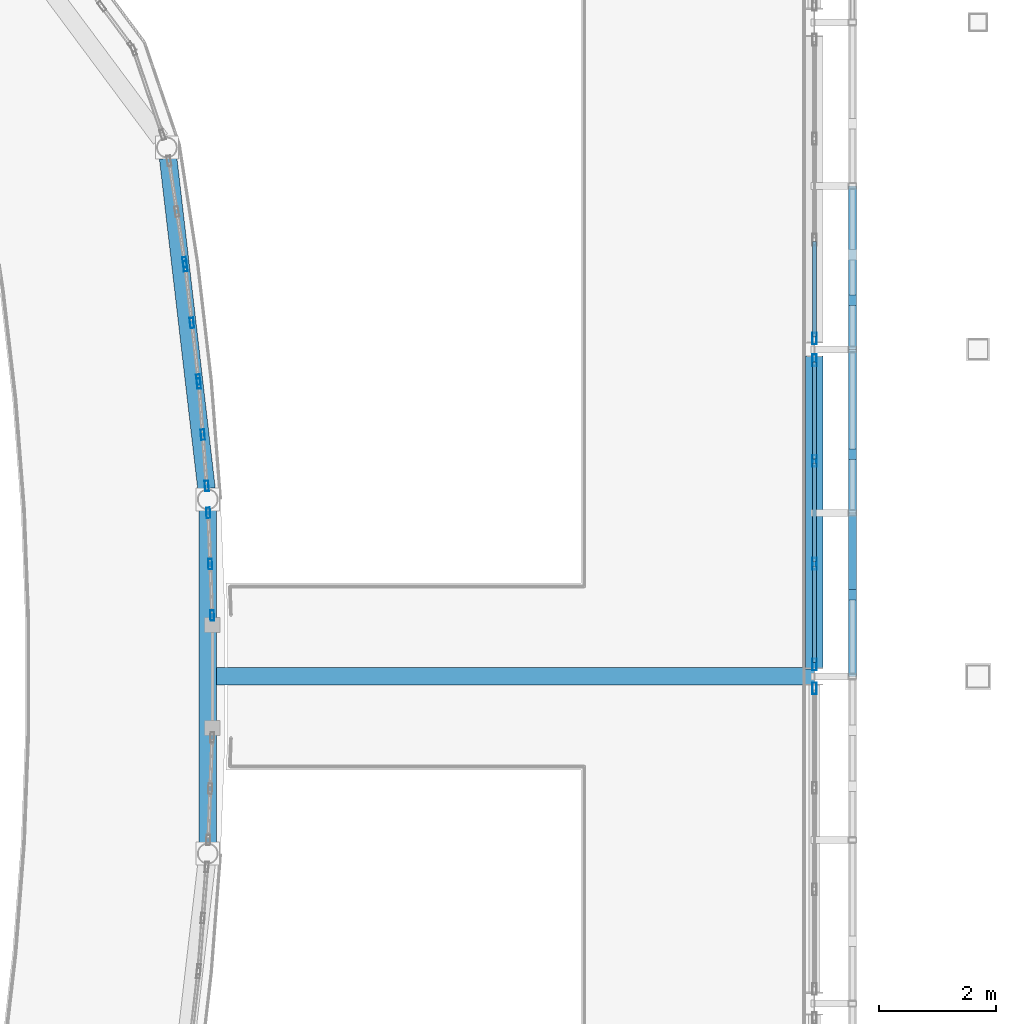
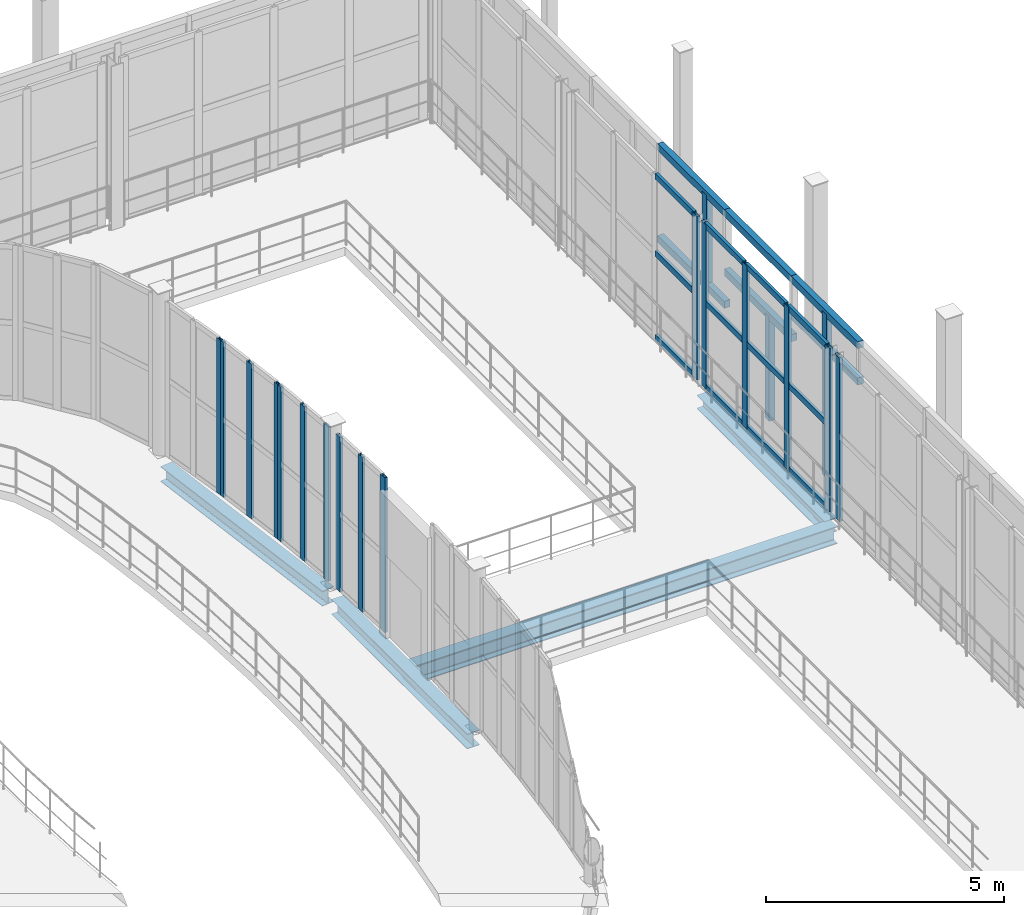
# One storey, part 44 of 138: 37 members, 4 beams, 7 elements without a shape of their own.
"""IFC4 building model written with IfcOpenShell, lengths in metres."""

from ifc_helpers import new_model, si_unit, direction, frame, origin, origin_2d, place, context, subcontext, project, spatial, rectangle, hollow_rectangle, i_section, extrude, material, layer, layer_set, material_profile, profile_set, type_object, element, aggregate, save


model = new_model("IFC4")

# Units and contexts
model_context = context("Model", 3, precision=1e-05, world=origin(), true_north=direction((0.0, 1.0)))
body_context = subcontext(model_context, "Body", "Model", "MODEL_VIEW")
ifc_project = project(units=[si_unit("LENGTHUNIT", "METRE"), si_unit("AREAUNIT", "SQUARE_METRE"), si_unit("VOLUMEUNIT", "CUBIC_METRE"), si_unit("PLANEANGLEUNIT", "RADIAN"), si_unit("MASSUNIT", "GRAM", prefix="KILO")], contexts=[model_context])

# Site, building, storey
site_placement = place(None, origin())
site = spatial("IfcSite", under=ifc_project, at=site_placement, CompositionType="ELEMENT")
building_placement = place(site_placement, origin())
building = spatial("IfcBuilding", under=site, at=building_placement, Name="Vinh Khe Railworks Police Headquarters", CompositionType="ELEMENT")
storey_placement = place(building_placement, frame((0.0, 0.0, 9.0)))
storey = spatial("IfcBuildingStorey", under=building, at=storey_placement, Name="L02", CompositionType="ELEMENT", Elevation=9.0)

# Members
ifc_material_1 = material(Name="Salvaged ironwood timber", Category="wood")
ifc_material_profile_1 = material_profile(ifc_material_1, rectangle(XDim=0.139892578125, YDim=0.179931640625, at=origin_2d()), Name="TIMBER 140x180")
ifc_profile_set_1 = profile_set([ifc_material_profile_1], Name="Salvaged ironwood timber")
member_type_1 = type_object("IfcMemberType", Name="MEM-QUILT-STILE", PredefinedType="CHORD", material=ifc_profile_set_1)
for number, where, z_axis, x_axis, name in (
    (1, (60.64990234375, 42.0, 4.1201171875), (0.0, 1.0, 0.0), (-1.0, 0.0, 0.0), "Salvaged Timber Quilt Transom E-L02-06-TOP"),
    (2, (60.64990234375, 42.0, 3.19189453125), (0.0, 1.0, 0.0), (-1.0, 0.0, 0.0), "Salvaged Timber Quilt Transom E-L02-06-M1"),
):
    element("IfcMember", number, at=place(storey_placement, frame(where, z_axis=z_axis, x_axis=x_axis)), inside=storey, type_object=member_type_1, Name=name, PredefinedType="CHORD", context=body_context, shape_type="SweptSolid", body=[
        extrude(rectangle(XDim=0.139892578125, YDim=0.179931640625, at=origin_2d()), origin(), (0.0, 0.0, 1.0), 2.800048828125),
    ])
member_1_placement = place(storey_placement, frame((60.64990234375, 43.39990234375, -0.080078125), z_axis=(0.0, 0.0, 1.0), x_axis=(1.0, 0.0, 0.0)))
element("IfcMember", 3, at=member_1_placement, inside=storey, type_object=member_type_1, Name="Salvaged Timber Quilt Stile E-L02-06-V1", PredefinedType="POST", context=body_context, shape_type="SweptSolid", body=[
    extrude(rectangle(XDim=0.139892578125, YDim=0.179931640625, at=origin_2d()), origin(), (0.0, 0.0, 1.0), 4.2001953125),
])
for number, where, z_axis, x_axis, name in (
    (4, (60.64990234375, 44.800048828125, 4.1201171875), (0.0, 1.0, 0.0), (-1.0, 0.0, 0.0), "Salvaged Timber Quilt Transom E-L02-07-TOP"),
    (5, (60.64990234375, 44.800048828125, 2.60400390625), (0.0, 1.0, 0.0), (-1.0, 0.0, 0.0), "Salvaged Timber Quilt Transom E-L02-07-M1"),
):
    element("IfcMember", number, at=place(storey_placement, frame(where, z_axis=z_axis, x_axis=x_axis)), inside=storey, type_object=member_type_1, Name=name, PredefinedType="CHORD", context=body_context, shape_type="SweptSolid", body=[
        extrude(rectangle(XDim=0.139892578125, YDim=0.179931640625, at=origin_2d()), origin(), (0.0, 0.0, 1.0), 2.800048828125),
    ])
member_2_placement = place(storey_placement, frame((60.64990234375, 45.80810546875, -0.080078125), z_axis=(0.0, 0.0, 1.0), x_axis=(1.0, 0.0, 0.0)))
element("IfcMember", 6, at=member_2_placement, inside=storey, type_object=member_type_1, Name="Salvaged Timber Quilt Stile E-L02-07-V1", PredefinedType="POST", context=body_context, shape_type="SweptSolid", body=[
    extrude(rectangle(XDim=0.139892578125, YDim=0.179931640625, at=origin_2d()), origin(), (0.0, 0.0, 1.0), 2.68408203125),
])
for number, where, z_axis, x_axis, name in (
    (7, (60.64990234375, 47.60009765625, 4.1201171875), (0.0, 1.0, 0.0), (-1.0, 0.0, 0.0), "Salvaged Timber Quilt Transom E-L02-08-TOP"),
    (8, (60.64990234375, 47.60009765625, 1.763916015625), (0.0, 1.0, 0.0), (-1.0, 0.0, 0.0), "Salvaged Timber Quilt Transom E-L02-08-M1"),
):
    element("IfcMember", number, at=place(storey_placement, frame(where, z_axis=z_axis, x_axis=x_axis)), inside=storey, type_object=member_type_1, Name=name, PredefinedType="CHORD", context=body_context, shape_type="SweptSolid", body=[
        extrude(rectangle(XDim=0.139892578125, YDim=0.179931640625, at=origin_2d()), origin(), (0.0, 0.0, 1.0), 2.7998046875),
    ])
member_3_placement = place(storey_placement, frame((60.64990234375, 48.43994140625, 1.763916015625), z_axis=(0.0, 0.0, 1.0), x_axis=(1.0, 0.0, 0.0)))
element("IfcMember", 9, at=member_3_placement, inside=storey, type_object=member_type_1, Name="Salvaged Timber Quilt Stile E-L02-08-V2", PredefinedType="POST", context=body_context, shape_type="SweptSolid", body=[
    extrude(rectangle(XDim=0.139892578125, YDim=0.179931640625, at=origin_2d()), origin(), (0.0, 0.0, 1.0), 2.356201171875),
])

# Curtain wall, members
ifc_material_2 = material(Name="Anodised aluminium and acoustic laminated glass", Category="aluminium")
ifc_layer_1 = layer(ifc_material_2, 0.159912109375)
ifc_layer_set_1 = layer_set([ifc_layer_1], Name="Anodised aluminium and acoustic laminated glass")
curtain_wall_type_1 = type_object("IfcCurtainWallType", Name="CW-DRUM-CHORD", PredefinedType="USERDEFINED", material=ifc_layer_set_1)
curtain_wall_1_placement = place(storey_placement, origin())
curtain_wall_1 = element("IfcCurtainWall", 10, at=curtain_wall_1_placement, inside=storey, type_object=curtain_wall_type_1, Name="Elliptical Command Drum Glazing L02 Chord 6", ObjectType="DRUM FACADE GLAZING", PredefinedType="USERDEFINED")
ifc_material_3 = material(Name="Anodised aluminium 6063-T6", Category="aluminium")
ifc_material_profile_2 = material_profile(ifc_material_3, hollow_rectangle(XDim=0.06494140625, YDim=0.179931640625, WallThickness=0.0048828125, at=origin_2d()), Name="CW-M 65x180x5")
ifc_profile_set_2 = profile_set([ifc_material_profile_2], Name="Anodised aluminium 6063-T6")
member_type_2 = type_object("IfcMemberType", Name="MULL-CWM-02", PredefinedType="MULLION", material=ifc_profile_set_2)
member_4_placement = place(storey_placement, frame((49.68896484375, 43.043701171875, 0.0), z_axis=(0.0, 0.0, 1.0), x_axis=(-0.999258111354, -0.038512684833, 0.0)))
member_4 = element("IfcMember", 11, at=member_4_placement, type_object=member_type_2, Name="CW-02 mullion 1", PredefinedType="MULLION", context=body_context, shape_type="SweptSolid", body=[
    extrude(hollow_rectangle(XDim=0.06494140625, YDim=0.179931640625, WallThickness=0.0048828125, at=origin_2d()), origin(), (0.0, 0.0, 1.0), 3.969970703125),
])
member_5_placement = place(storey_placement, frame((49.655029296875, 43.9228515625, 0.0), z_axis=(0.0, 0.0, 1.0), x_axis=(-0.999258111354, -0.038512684833, 0.0)))
member_5 = element("IfcMember", 12, at=member_5_placement, type_object=member_type_2, Name="CW-02 mullion 2", PredefinedType="MULLION", context=body_context, shape_type="SweptSolid", body=[
    extrude(hollow_rectangle(XDim=0.06494140625, YDim=0.179931640625, WallThickness=0.0048828125, at=origin_2d()), origin(), (0.0, 0.0, 1.0), 3.969970703125),
])
member_6_placement = place(storey_placement, frame((49.621337890625, 44.802001953125, 0.0), z_axis=(0.0, 0.0, 1.0), x_axis=(-0.999258111354, -0.038512684833, 0.0)))
member_6 = element("IfcMember", 13, at=member_6_placement, type_object=member_type_2, Name="CW-02 mullion 3", PredefinedType="MULLION", context=body_context, shape_type="SweptSolid", body=[
    extrude(hollow_rectangle(XDim=0.06494140625, YDim=0.179931640625, WallThickness=0.0048828125, at=origin_2d()), origin(), (0.0, 0.0, 1.0), 3.969970703125),
])
aggregate(curtain_wall_1, [member_4, member_5, member_6])

curtain_wall_2_placement = place(storey_placement, origin())
curtain_wall_2 = element("IfcCurtainWall", 14, at=curtain_wall_2_placement, inside=storey, type_object=curtain_wall_type_1, Name="Elliptical Command Drum Glazing L02 Chord 7", ObjectType="DRUM FACADE GLAZING", PredefinedType="USERDEFINED")
member_7_placement = place(storey_placement, frame((49.5947265625, 45.26171875, 0.0), z_axis=(0.0, 0.0, 1.0), x_axis=(-0.997033493224, -0.076968911839, 0.0)))
member_7 = element("IfcMember", 15, at=member_7_placement, type_object=member_type_2, Name="CW-02 mullion 1", PredefinedType="MULLION", context=body_context, shape_type="SweptSolid", body=[
    extrude(hollow_rectangle(XDim=0.06494140625, YDim=0.179931640625, WallThickness=0.0048828125, at=origin_2d()), origin(), (0.0, 0.0, 1.0), 3.969970703125),
])
member_8_placement = place(storey_placement, frame((49.52685546875, 46.138916015625, 0.0), z_axis=(0.0, 0.0, 1.0), x_axis=(-0.997033493224, -0.076968911839, 0.0)))
member_8 = element("IfcMember", 16, at=member_8_placement, type_object=member_type_2, Name="CW-02 mullion 2", PredefinedType="MULLION", context=body_context, shape_type="SweptSolid", body=[
    extrude(hollow_rectangle(XDim=0.06494140625, YDim=0.179931640625, WallThickness=0.0048828125, at=origin_2d()), origin(), (0.0, 0.0, 1.0), 3.969970703125),
])
member_9_placement = place(storey_placement, frame((49.459228515625, 47.01611328125, 0.0), z_axis=(0.0, 0.0, 1.0), x_axis=(-0.997033493224, -0.076968911839, 0.0)))
member_9 = element("IfcMember", 17, at=member_9_placement, type_object=member_type_2, Name="CW-02 mullion 3", PredefinedType="MULLION", context=body_context, shape_type="SweptSolid", body=[
    extrude(hollow_rectangle(XDim=0.06494140625, YDim=0.179931640625, WallThickness=0.0048828125, at=origin_2d()), origin(), (0.0, 0.0, 1.0), 3.969970703125),
])
aggregate(curtain_wall_2, [member_7, member_8, member_9])

curtain_wall_3_placement = place(storey_placement, origin())
curtain_wall_3 = element("IfcCurtainWall", 18, at=curtain_wall_3_placement, inside=storey, type_object=curtain_wall_type_1, Name="Elliptical Command Drum Glazing L02 Chord 8", ObjectType="DRUM FACADE GLAZING", PredefinedType="USERDEFINED")
member_10_placement = place(storey_placement, frame((49.452880859375, 47.080810546875, 0.0), z_axis=(0.0, 0.0, 1.0), x_axis=(-0.993328656296, -0.115317737498, 0.0)))
member_10 = element("IfcMember", 19, at=member_10_placement, type_object=member_type_2, Name="CW-02 mullion 1", PredefinedType="MULLION", context=body_context, shape_type="SweptSolid", body=[
    extrude(hollow_rectangle(XDim=0.06494140625, YDim=0.179931640625, WallThickness=0.0048828125, at=origin_2d()), origin(), (0.0, 0.0, 1.0), 3.969970703125),
])
member_11_placement = place(storey_placement, frame((49.340087890625, 48.052978515625, 0.0), z_axis=(0.0, 0.0, 1.0), x_axis=(-0.993328656296, -0.115317737498, 0.0)))
member_11 = element("IfcMember", 20, at=member_11_placement, type_object=member_type_2, Name="CW-02 mullion 2", PredefinedType="MULLION", context=body_context, shape_type="SweptSolid", body=[
    extrude(hollow_rectangle(XDim=0.06494140625, YDim=0.179931640625, WallThickness=0.0048828125, at=origin_2d()), origin(), (0.0, 0.0, 1.0), 3.969970703125),
])
member_12_placement = place(storey_placement, frame((49.227294921875, 49.025146484375, 0.0), z_axis=(0.0, 0.0, 1.0), x_axis=(-0.993328656296, -0.115317737498, 0.0)))
member_12 = element("IfcMember", 21, at=member_12_placement, type_object=member_type_2, Name="CW-02 mullion 3", PredefinedType="MULLION", context=body_context, shape_type="SweptSolid", body=[
    extrude(hollow_rectangle(XDim=0.06494140625, YDim=0.179931640625, WallThickness=0.0048828125, at=origin_2d()), origin(), (0.0, 0.0, 1.0), 3.969970703125),
])
aggregate(curtain_wall_3, [member_10, member_11, member_12])

# Curtain wall, member
curtain_wall_4_placement = place(storey_placement, origin())
curtain_wall_4 = element("IfcCurtainWall", 22, at=curtain_wall_4_placement, inside=storey, type_object=curtain_wall_type_1, Name="Elliptical Command Drum Glazing L02 Chord 9", ObjectType="DRUM FACADE GLAZING", PredefinedType="USERDEFINED")
member_13_placement = place(storey_placement, frame((49.218505859375, 49.089599609375, 0.0), z_axis=(0.0, 0.0, 1.0), x_axis=(-0.988150166575, -0.153490222159, 0.0)))
member_13 = element("IfcMember", 23, at=member_13_placement, type_object=member_type_2, Name="CW-02 mullion 1", PredefinedType="MULLION", context=body_context, shape_type="SweptSolid", body=[
    extrude(hollow_rectangle(XDim=0.06494140625, YDim=0.179931640625, WallThickness=0.0048828125, at=origin_2d()), origin(), (0.0, 0.0, 1.0), 3.969970703125),
])
aggregate(curtain_wall_4, [member_13])

ifc_material_4 = material(Name="Anodised aluminium and low-iron glass", Category="aluminium")
ifc_layer_2 = layer(ifc_material_4, 0.179931640625)
ifc_layer_set_2 = layer_set([ifc_layer_2], Name="Anodised aluminium and low-iron glass")
curtain_wall_type_2 = type_object("IfcCurtainWallType", Name="CW-CUBE-UNIT", PredefinedType="USERDEFINED", material=ifc_layer_set_2)
curtain_wall_5_placement = place(storey_placement, origin())
curtain_wall_5 = element("IfcCurtainWall", 24, at=curtain_wall_5_placement, inside=storey, type_object=curtain_wall_type_2, Name="Entrance Hall Curtain Wall L02 E-3", ObjectType="UNITISED GLAZING", PredefinedType="USERDEFINED")
ifc_material_profile_3 = material_profile(ifc_material_3, hollow_rectangle(XDim=0.070068359375, YDim=0.199951171875, WallThickness=0.0048828125, at=origin_2d()), Name="CW-M 70x200x5")
ifc_profile_set_3 = profile_set([ifc_material_profile_3], Name="Anodised aluminium 6063-T6")
member_type_3 = type_object("IfcMemberType", Name="MULL-CWM-03", PredefinedType="MULLION", material=ifc_profile_set_3)
member_14_placement = place(storey_placement, frame((60.0, 41.794921875, 0.0), z_axis=(0.0, 0.0, 1.0), x_axis=(-1.0, 0.0, 0.0)))
member_14 = element("IfcMember", 25, at=member_14_placement, type_object=member_type_3, Name="CW-01 mullion 4", PredefinedType="MULLION", context=body_context, shape_type="SweptSolid", body=[
    extrude(hollow_rectangle(XDim=0.070068359375, YDim=0.199951171875, WallThickness=0.0048828125, at=origin_2d()), origin(), (0.0, 0.0, 1.0), 4.199951171875),
])
aggregate(curtain_wall_5, [member_14])

# Curtain wall, members
curtain_wall_6_placement = place(storey_placement, origin())
curtain_wall_6 = element("IfcCurtainWall", 26, at=curtain_wall_6_placement, inside=storey, type_object=curtain_wall_type_2, Name="Entrance Hall Curtain Wall L02 E-4", ObjectType="UNITISED GLAZING", PredefinedType="USERDEFINED")
member_15_placement = place(storey_placement, frame((60.0, 42.205078125, 0.0), z_axis=(0.0, 0.0, 1.0), x_axis=(-1.0, 0.0, 0.0)))
member_15 = element("IfcMember", 27, at=member_15_placement, type_object=member_type_3, Name="CW-01 mullion 1", PredefinedType="MULLION", context=body_context, shape_type="SweptSolid", body=[
    extrude(hollow_rectangle(XDim=0.070068359375, YDim=0.199951171875, WallThickness=0.0048828125, at=origin_2d()), origin(), (0.0, 0.0, 1.0), 4.199951171875),
])
member_16_placement = place(storey_placement, frame((60.0, 43.929931640625, 0.0), z_axis=(0.0, 0.0, 1.0), x_axis=(-1.0, 0.0, 0.0)))
member_16 = element("IfcMember", 28, at=member_16_placement, type_object=member_type_3, Name="CW-01 mullion 2", PredefinedType="MULLION", context=body_context, shape_type="SweptSolid", body=[
    extrude(hollow_rectangle(XDim=0.070068359375, YDim=0.199951171875, WallThickness=0.0048828125, at=origin_2d()), origin(), (0.0, 0.0, 1.0), 4.199951171875),
])
member_17_placement = place(storey_placement, frame((60.0, 45.68994140625, 0.0), z_axis=(0.0, 0.0, 1.0), x_axis=(-1.0, 0.0, 0.0)))
member_17 = element("IfcMember", 29, at=member_17_placement, type_object=member_type_3, Name="CW-01 mullion 3", PredefinedType="MULLION", context=body_context, shape_type="SweptSolid", body=[
    extrude(hollow_rectangle(XDim=0.070068359375, YDim=0.199951171875, WallThickness=0.0048828125, at=origin_2d()), origin(), (0.0, 0.0, 1.0), 4.199951171875),
])
member_18_placement = place(storey_placement, frame((60.0, 47.4150390625, 0.0), z_axis=(0.0, 0.0, 1.0), x_axis=(-1.0, 0.0, 0.0)))
member_18 = element("IfcMember", 30, at=member_18_placement, type_object=member_type_3, Name="CW-01 mullion 4", PredefinedType="MULLION", context=body_context, shape_type="SweptSolid", body=[
    extrude(hollow_rectangle(XDim=0.070068359375, YDim=0.199951171875, WallThickness=0.0048828125, at=origin_2d()), origin(), (0.0, 0.0, 1.0), 4.199951171875),
])

# Curtain wall, member
curtain_wall_7_placement = place(storey_placement, origin())
curtain_wall_7 = element("IfcCurtainWall", 31, at=curtain_wall_7_placement, inside=storey, type_object=curtain_wall_type_2, Name="Entrance Hall Curtain Wall L02 E-5", ObjectType="UNITISED GLAZING", PredefinedType="USERDEFINED")
member_19_placement = place(storey_placement, frame((60.0, 47.784912109375, 0.0), z_axis=(0.0, 0.0, 1.0), x_axis=(-1.0, 0.0, 0.0)))
member_19 = element("IfcMember", 32, at=member_19_placement, type_object=member_type_3, Name="CW-01 mullion 1", PredefinedType="MULLION", context=body_context, shape_type="SweptSolid", body=[
    extrude(hollow_rectangle(XDim=0.070068359375, YDim=0.199951171875, WallThickness=0.0048828125, at=origin_2d()), origin(), (0.0, 0.0, 1.0), 4.199951171875),
])

# Beams
ifc_material_5 = material(Name="Steel S355JR", Category="steel")
ifc_material_profile_4 = material_profile(ifc_material_5, i_section(OverallWidth=0.300048828125, OverallDepth=0.35009765625, WebThickness=0.010009765625, FlangeThickness=0.017578125, FilletRadius=0.027099609375, at=origin_2d()), Name="HEA 360")
ifc_profile_set_4 = profile_set([ifc_material_profile_4], Name="Steel S355JR")
beam_type_1 = type_object("IfcBeamType", Name="Steel Girder HEA 360", PredefinedType="BEAM", material=ifc_profile_set_4)
beam_1_placement = place(storey_placement, frame((60.0, 42.1298828125, -0.39501953125), z_axis=(0.0, 1.0, 0.0), x_axis=(-1.0, 0.0, 0.0)))
element("IfcBeam", 33, at=beam_1_placement, inside=storey, type_object=beam_type_1, Name="Girder BM-L02-NS-SB-15-0967", PredefinedType="BEAM", context=body_context, shape_type="SweptSolid", body=[
    extrude(i_section(OverallWidth=0.300048828125, OverallDepth=0.35009765625, WebThickness=0.010009765625, FlangeThickness=0.017578125, FilletRadius=0.027099609375, at=origin_2d()), origin(), (0.0, 0.0, 1.0), 5.360107421875),
])
ifc_material_profile_5 = material_profile(ifc_material_5, i_section(OverallWidth=0.300048828125, OverallDepth=0.389892578125, WebThickness=0.010986328125, FlangeThickness=0.01904296875, FilletRadius=0.027099609375, at=origin_2d()), Name="HEA 400")
ifc_profile_set_5 = profile_set([ifc_material_profile_5], Name="Steel S355JR")
beam_type_2 = type_object("IfcBeamType", Name="Steel Girder HEA 400", PredefinedType="BEAM", material=ifc_profile_set_5)
for number, where, z_axis, x_axis, name in (
    (34, (49.6123046875, 39.151123046875, -0.4150390625), (0.0, 1.0, 0.0), (-1.0, 0.0, 0.0), "Drum Ring Girder BM-L02-DRUM-SB-14-1024"),
    (35, (49.59130859375, 45.214111328125, -0.4150390625), (-0.115349444921, 0.993324974798, 0.0), (-0.993324974798, -0.115349444921, 0.0), "Drum Ring Girder BM-L02-DRUM-SB-14-1025"),
):
    element("IfcBeam", number, at=place(storey_placement, frame(where, z_axis=z_axis, x_axis=x_axis)), inside=storey, type_object=beam_type_2, Name=name, PredefinedType="BEAM", context=body_context, shape_type="SweptSolid", body=[
        extrude(i_section(OverallWidth=0.300048828125, OverallDepth=0.389892578125, WebThickness=0.010986328125, FlangeThickness=0.01904296875, FilletRadius=0.027099609375, at=origin_2d()), origin(), (0.0, 0.0, 1.0), 5.69775390625),
    ])
ifc_material_profile_6 = material_profile(ifc_material_5, i_section(OverallWidth=0.300048828125, OverallDepth=0.449951171875, WebThickness=0.013916015625, FlangeThickness=0.02587890625, FilletRadius=0.027099609375, at=origin_2d()), Name="HEB 450")
ifc_profile_set_6 = profile_set([ifc_material_profile_6], Name="Steel S355JR")
beam_type_3 = type_object("IfcBeamType", Name="Steel Girder HEB 450", PredefinedType="BEAM", material=ifc_profile_set_6)
beam_2_placement = place(storey_placement, frame((49.6123046875, 42.0, -0.445068359375), z_axis=(1.0, 0.0, 0.0), x_axis=(0.0, 1.0, 0.0)))
element("IfcBeam", 36, at=beam_2_placement, inside=storey, type_object=beam_type_3, Name="Concourse Link Bridge Girder BM-L02-LINK-SB-07-1032", PredefinedType="BEAM", context=body_context, shape_type="SweptSolid", body=[
    extrude(i_section(OverallWidth=0.300048828125, OverallDepth=0.449951171875, WebThickness=0.013916015625, FlangeThickness=0.02587890625, FilletRadius=0.027099609375, at=origin_2d()), origin(), (0.0, 0.0, 1.0), 10.3876953125),
])

# Member
ifc_material_profile_7 = material_profile(ifc_material_3, hollow_rectangle(XDim=0.070068359375, YDim=0.14990234375, WallThickness=0.0048828125, at=origin_2d()), Name="CW-T 70x150x5")
ifc_profile_set_7 = profile_set([ifc_material_profile_7], Name="Anodised aluminium 6063-T6")
member_type_4 = type_object("IfcMemberType", Name="TRAN-CWT-03", PredefinedType="USERDEFINED", material=ifc_profile_set_7)
member_20_placement = place(storey_placement, frame((60.0, 42.239990234375, 0.034912109375), z_axis=(0.0, 1.0, 0.0), x_axis=(-1.0, 0.0, 0.0)))
member_20 = element("IfcMember", 37, at=member_20_placement, type_object=member_type_4, Name="CW-01 transom 1.1", ObjectType="TRANSOM", PredefinedType="USERDEFINED", context=body_context, shape_type="SweptSolid", body=[
    extrude(hollow_rectangle(XDim=0.070068359375, YDim=0.14990234375, WallThickness=0.0048828125, at=origin_2d()), origin(), (0.0, 0.0, 1.0), 1.655029296875),
])

member_21_placement = place(storey_placement, frame((60.0, 42.239990234375, 2.18408203125), z_axis=(0.0, 1.0, 0.0), x_axis=(-1.0, 0.0, 0.0)))
member_21 = element("IfcMember", 38, at=member_21_placement, type_object=member_type_4, Name="CW-01 transom 1.2", ObjectType="TRANSOM", PredefinedType="USERDEFINED", context=body_context, shape_type="SweptSolid", body=[
    extrude(hollow_rectangle(XDim=0.070068359375, YDim=0.14990234375, WallThickness=0.0048828125, at=origin_2d()), origin(), (0.0, 0.0, 1.0), 1.655029296875),
])

member_22_placement = place(storey_placement, frame((60.0, 42.239990234375, 4.1650390625), z_axis=(0.0, 1.0, 0.0), x_axis=(-1.0, 0.0, 0.0)))
member_22 = element("IfcMember", 39, at=member_22_placement, type_object=member_type_4, Name="CW-01 transom 1.3", ObjectType="TRANSOM", PredefinedType="USERDEFINED", context=body_context, shape_type="SweptSolid", body=[
    extrude(hollow_rectangle(XDim=0.070068359375, YDim=0.14990234375, WallThickness=0.0048828125, at=origin_2d()), origin(), (0.0, 0.0, 1.0), 1.655029296875),
])

member_23_placement = place(storey_placement, frame((60.0, 43.965087890625, 0.034912109375), z_axis=(0.0, 1.0, 0.0), x_axis=(-1.0, 0.0, 0.0)))
member_23 = element("IfcMember", 40, at=member_23_placement, type_object=member_type_4, Name="CW-01 transom 2.1", ObjectType="TRANSOM", PredefinedType="USERDEFINED", context=body_context, shape_type="SweptSolid", body=[
    extrude(hollow_rectangle(XDim=0.070068359375, YDim=0.14990234375, WallThickness=0.0048828125, at=origin_2d()), origin(), (0.0, 0.0, 1.0), 1.68994140625),
])

member_24_placement = place(storey_placement, frame((60.0, 43.965087890625, 2.18408203125), z_axis=(0.0, 1.0, 0.0), x_axis=(-1.0, 0.0, 0.0)))
member_24 = element("IfcMember", 41, at=member_24_placement, type_object=member_type_4, Name="CW-01 transom 2.2", ObjectType="TRANSOM", PredefinedType="USERDEFINED", context=body_context, shape_type="SweptSolid", body=[
    extrude(hollow_rectangle(XDim=0.070068359375, YDim=0.14990234375, WallThickness=0.0048828125, at=origin_2d()), origin(), (0.0, 0.0, 1.0), 1.68994140625),
])

member_25_placement = place(storey_placement, frame((60.0, 43.965087890625, 4.1650390625), z_axis=(0.0, 1.0, 0.0), x_axis=(-1.0, 0.0, 0.0)))
member_25 = element("IfcMember", 42, at=member_25_placement, type_object=member_type_4, Name="CW-01 transom 2.3", ObjectType="TRANSOM", PredefinedType="USERDEFINED", context=body_context, shape_type="SweptSolid", body=[
    extrude(hollow_rectangle(XDim=0.070068359375, YDim=0.14990234375, WallThickness=0.0048828125, at=origin_2d()), origin(), (0.0, 0.0, 1.0), 1.68994140625),
])

member_26_placement = place(storey_placement, frame((60.0, 45.72509765625, 0.034912109375), z_axis=(0.0, 1.0, 0.0), x_axis=(-1.0, 0.0, 0.0)))
member_26 = element("IfcMember", 43, at=member_26_placement, type_object=member_type_4, Name="CW-01 transom 3.1", ObjectType="TRANSOM", PredefinedType="USERDEFINED", context=body_context, shape_type="SweptSolid", body=[
    extrude(hollow_rectangle(XDim=0.070068359375, YDim=0.14990234375, WallThickness=0.0048828125, at=origin_2d()), origin(), (0.0, 0.0, 1.0), 1.65478515625),
])

member_27_placement = place(storey_placement, frame((60.0, 45.72509765625, 2.18408203125), z_axis=(0.0, 1.0, 0.0), x_axis=(-1.0, 0.0, 0.0)))
member_27 = element("IfcMember", 44, at=member_27_placement, type_object=member_type_4, Name="CW-01 transom 3.2", ObjectType="TRANSOM", PredefinedType="USERDEFINED", context=body_context, shape_type="SweptSolid", body=[
    extrude(hollow_rectangle(XDim=0.070068359375, YDim=0.14990234375, WallThickness=0.0048828125, at=origin_2d()), origin(), (0.0, 0.0, 1.0), 1.65478515625),
])

member_28_placement = place(storey_placement, frame((60.0, 45.72509765625, 4.1650390625), z_axis=(0.0, 1.0, 0.0), x_axis=(-1.0, 0.0, 0.0)))
member_28 = element("IfcMember", 45, at=member_28_placement, type_object=member_type_4, Name="CW-01 transom 3.3", ObjectType="TRANSOM", PredefinedType="USERDEFINED", context=body_context, shape_type="SweptSolid", body=[
    extrude(hollow_rectangle(XDim=0.070068359375, YDim=0.14990234375, WallThickness=0.0048828125, at=origin_2d()), origin(), (0.0, 0.0, 1.0), 1.65478515625),
])

aggregate(curtain_wall_6, [member_15, member_16, member_17, member_18, member_20, member_21, member_22, member_23, member_24, member_25, member_26, member_27, member_28])

member_29_placement = place(storey_placement, frame((60.0, 47.820068359375, 0.034912109375), z_axis=(0.0, 1.0, 0.0), x_axis=(-1.0, 0.0, 0.0)))
member_29 = element("IfcMember", 46, at=member_29_placement, type_object=member_type_4, Name="CW-01 transom 1.1", ObjectType="TRANSOM", PredefinedType="USERDEFINED", context=body_context, shape_type="SweptSolid", body=[
    extrude(hollow_rectangle(XDim=0.070068359375, YDim=0.14990234375, WallThickness=0.0048828125, at=origin_2d()), origin(), (0.0, 0.0, 1.0), 1.623291015625),
])

member_30_placement = place(storey_placement, frame((60.0, 47.820068359375, 2.18408203125), z_axis=(0.0, 1.0, 0.0), x_axis=(-1.0, 0.0, 0.0)))
member_30 = element("IfcMember", 47, at=member_30_placement, type_object=member_type_4, Name="CW-01 transom 1.2", ObjectType="TRANSOM", PredefinedType="USERDEFINED", context=body_context, shape_type="SweptSolid", body=[
    extrude(hollow_rectangle(XDim=0.070068359375, YDim=0.14990234375, WallThickness=0.0048828125, at=origin_2d()), origin(), (0.0, 0.0, 1.0), 1.623291015625),
])

member_31_placement = place(storey_placement, frame((60.0, 47.820068359375, 4.1650390625), z_axis=(0.0, 1.0, 0.0), x_axis=(-1.0, 0.0, 0.0)))
member_31 = element("IfcMember", 48, at=member_31_placement, type_object=member_type_4, Name="CW-01 transom 1.3", ObjectType="TRANSOM", PredefinedType="USERDEFINED", context=body_context, shape_type="SweptSolid", body=[
    extrude(hollow_rectangle(XDim=0.070068359375, YDim=0.14990234375, WallThickness=0.0048828125, at=origin_2d()), origin(), (0.0, 0.0, 1.0), 1.623291015625),
])

aggregate(curtain_wall_7, [member_19, member_29, member_30, member_31])

save(model, "model.ifc")
